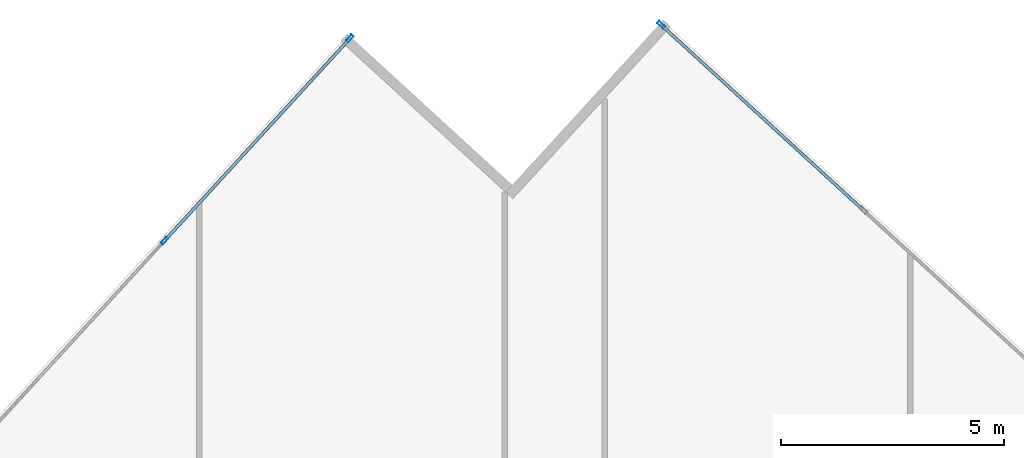
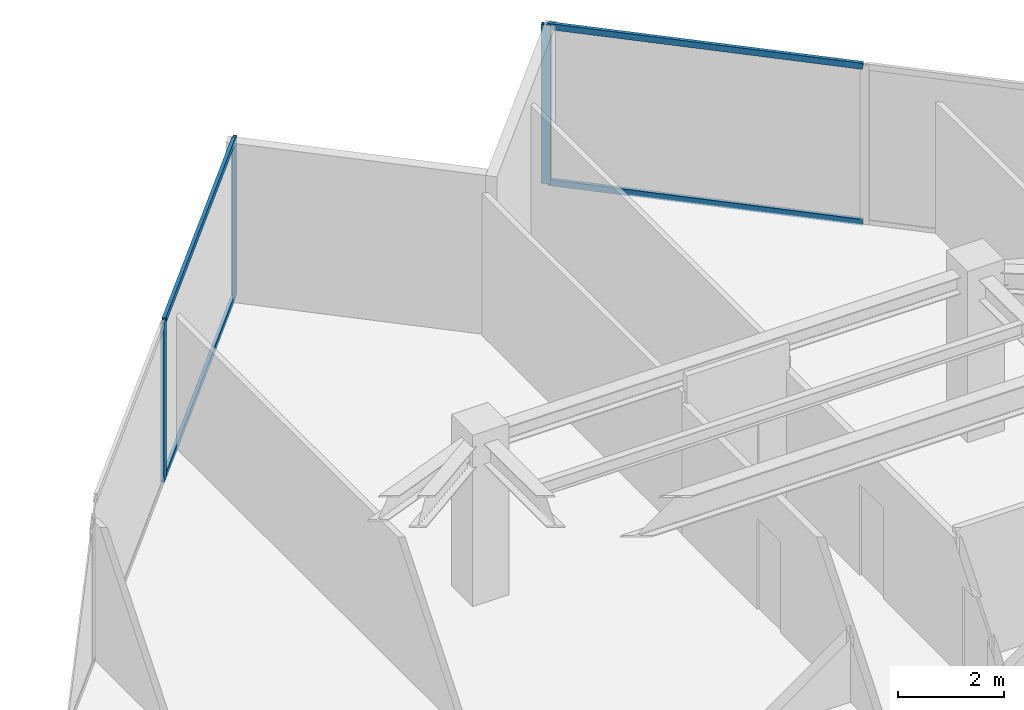
# One storey, part 17 of 26: 7 members, 2 elements without a shape of their own.
"""IFC4 building model written with IfcOpenShell, lengths in metres."""

from ifc_helpers import new_model, si_unit, direction, frame, origin, origin_2d, place, context, subcontext, project, spatial, hollow_rectangle, extrude, source, transform, mapped, material, material_profile, profile_set, type_object, type_shapes, element, aggregate, save


model = new_model("IFC4")

# Units and contexts
model_context = context("Model", 3, precision=1e-05, world=origin(), true_north=direction((0.0, 1.0)))
body_context = subcontext(model_context, "Body", "Model", "MODEL_VIEW")
ifc_project = project(units=[si_unit("LENGTHUNIT", "METRE"), si_unit("AREAUNIT", "SQUARE_METRE"), si_unit("VOLUMEUNIT", "CUBIC_METRE"), si_unit("PLANEANGLEUNIT", "RADIAN"), si_unit("MASSUNIT", "GRAM", prefix="KILO")], contexts=[model_context])

# Site, building, storey
site_placement = place(None, origin())
site = spatial("IfcSite", under=ifc_project, at=site_placement, CompositionType="ELEMENT")
building_placement = place(site_placement, origin())
building = spatial("IfcBuilding", under=site, at=building_placement, Name="Krantzveldt Concourse Tower", CompositionType="ELEMENT")
storey_placement = place(building_placement, frame((0.0, 0.0, 219.14990234375)))
storey = spatial("IfcBuildingStorey", under=building, at=storey_placement, Name="L53", CompositionType="ELEMENT", Elevation=219.14990234375)

# Curtain wall, members
ifc_material = material(Name="Anodised aluminium 6063-T6", Category="aluminium")
curtain_wall_type = type_object("IfcCurtainWallType", Name="CW3", PredefinedType="USERDEFINED", material=ifc_material)
curtain_wall_1_placement = place(storey_placement, origin())
curtain_wall_1 = element("IfcCurtainWall", 1, at=curtain_wall_1_placement, inside=storey, type_object=curtain_wall_type, Name="CW-L53-F01", ObjectType="UNITISED CURTAIN WALL", PredefinedType="USERDEFINED")
ifc_material_profile_1 = material_profile(ifc_material, hollow_rectangle(XDim=0.070068359375, YDim=0.179931640625, WallThickness=0.0048828125, at=origin_2d()), Name="Anodised aluminium 6063-T6", Category="aluminium")
ifc_profile_set_1 = profile_set([ifc_material_profile_1], Name="Anodised aluminium 6063-T6 - ALU-MULL 180x70x5")
member_type_1 = type_object("IfcMemberType", Name="CW-MUL-180", PredefinedType="MULLION", material=ifc_profile_set_1)
shared_shape_1 = source(origin(), body_context, "Body", "SweptSolid", [
    extrude(hollow_rectangle(XDim=0.070068359375, YDim=0.179931640625, WallThickness=0.0048828125, at=origin_2d()), origin(), (0.0, 0.0, 1.0), 3.670166015625),
])
type_shapes(member_type_1, [shared_shape_1])
member_1_placement = place(storey_placement, frame((31.400146484375, 51.890869140625, 0.0), z_axis=(0.0, 0.0, 1.0), x_axis=(0.737277477893, -0.675590053651, 0.0)))
member_1 = element("IfcMember", 2, at=member_1_placement, type_object=member_type_1, Name="CW-Z34 mullion 1", PredefinedType="MULLION", context=body_context, shape_type="MappedRepresentation", body=[
    mapped(shared_shape_1, transform((0.0, 0.0, 0.0), x_axis=(1.0, 0.0, 0.0), y_axis=(0.0, 1.0, 0.0), z_axis=(0.0, 0.0, 1.0), scale=1.0)),
])
member_2_placement = place(storey_placement, frame((27.235107421875, 47.345458984375, 0.0), z_axis=(0.0, 0.0, 1.0), x_axis=(0.737277477893, -0.675590053651, 0.0)))
member_2 = element("IfcMember", 3, at=member_2_placement, type_object=member_type_1, Name="CW-Z34 mullion 2", PredefinedType="MULLION", context=body_context, shape_type="MappedRepresentation", body=[
    mapped(shared_shape_1, transform((0.0, 0.0, 0.0), x_axis=(1.0, 0.0, 0.0), y_axis=(0.0, 1.0, 0.0), z_axis=(0.0, 0.0, 1.0), scale=1.0)),
])

# Curtain wall, member
curtain_wall_2_placement = place(storey_placement, origin())
curtain_wall_2 = element("IfcCurtainWall", 4, at=curtain_wall_2_placement, inside=storey, type_object=curtain_wall_type, Name="CW-L53-F14", ObjectType="UNITISED CURTAIN WALL", PredefinedType="USERDEFINED")
member_3_placement = place(storey_placement, frame((38.38671875, 52.19580078125, 0.0), z_axis=(0.0, 0.0, 1.0), x_axis=(-0.675590053651, -0.737277477893, 0.0)))
member_3 = element("IfcMember", 5, at=member_3_placement, type_object=member_type_1, Name="CW-Z34 mullion 6", PredefinedType="MULLION", context=body_context, shape_type="MappedRepresentation", body=[
    mapped(shared_shape_1, transform((0.0, 0.0, 0.0), x_axis=(1.0, 0.0, 0.0), y_axis=(0.0, 1.0, 0.0), z_axis=(0.0, 0.0, 1.0), scale=1.0)),
])

# Member
ifc_material_profile_2 = material_profile(ifc_material, hollow_rectangle(XDim=0.070068359375, YDim=0.139892578125, WallThickness=0.0048828125, at=origin_2d()), Name="Anodised aluminium 6063-T6", Category="aluminium")
ifc_profile_set_2 = profile_set([ifc_material_profile_2], Name="Anodised aluminium 6063-T6 - ALU-TRAN 140x70x5")
member_type_2 = type_object("IfcMemberType", Name="CW-TRN-150", PredefinedType="USERDEFINED", material=ifc_profile_set_2)
shared_shape_2 = source(origin(), body_context, "Body", "SweptSolid", [
    extrude(hollow_rectangle(XDim=0.070068359375, YDim=0.139892578125, WallThickness=0.0048828125, at=origin_2d()), origin(), (0.0, 0.0, 1.0), 6.094970703125),
])
type_shapes(member_type_2, [shared_shape_2])
member_4_placement = place(storey_placement, frame((31.37646484375, 51.864990234375, 0.03515625), z_axis=(-0.675590390755, -0.737277168993, 0.0), x_axis=(0.737277168993, -0.675590390755, 0.0)))
member_4 = element("IfcMember", 6, at=member_4_placement, type_object=member_type_2, Name="CW-Z34 transom 1.1", ObjectType="TRANSOM", PredefinedType="USERDEFINED", context=body_context, shape_type="MappedRepresentation", body=[
    mapped(shared_shape_2, transform((0.0, 0.0, 0.0), x_axis=(1.0, 0.0, 0.0), y_axis=(0.0, 1.0, 0.0), z_axis=(0.0, 0.0, 1.0), scale=1.0)),
])

member_5_placement = place(storey_placement, frame((31.37646484375, 51.864990234375, 3.635009765625), z_axis=(-0.675590390755, -0.737277168993, 0.0), x_axis=(0.737277168993, -0.675590390755, 0.0)))
member_5 = element("IfcMember", 7, at=member_5_placement, type_object=member_type_2, Name="CW-Z34 transom 1.2", ObjectType="TRANSOM", PredefinedType="USERDEFINED", context=body_context, shape_type="MappedRepresentation", body=[
    mapped(shared_shape_2, transform((0.0, 0.0, 0.0), x_axis=(1.0, 0.0, 0.0), y_axis=(0.0, 1.0, 0.0), z_axis=(0.0, 0.0, 1.0), scale=1.0)),
])

aggregate(curtain_wall_1, [member_1, member_2, member_4, member_5])

member_6_placement = place(storey_placement, frame((42.90625, 48.054443359375, 0.03515625), z_axis=(-0.737277168993, 0.675590390755, 0.0), x_axis=(-0.675590390755, -0.737277168993, 0.0)))
member_6 = element("IfcMember", 8, at=member_6_placement, type_object=member_type_2, Name="CW-Z34 transom 5.1", ObjectType="TRANSOM", PredefinedType="USERDEFINED", context=body_context, shape_type="MappedRepresentation", body=[
    mapped(shared_shape_2, transform((0.0, 0.0, 0.0), x_axis=(1.0, 0.0, 0.0), y_axis=(0.0, 1.0, 0.0), z_axis=(0.0, 0.0, 1.0), scale=1.0)),
])

member_7_placement = place(storey_placement, frame((42.90625, 48.054443359375, 3.635009765625), z_axis=(-0.737277168993, 0.675590390755, 0.0), x_axis=(-0.675590390755, -0.737277168993, 0.0)))
member_7 = element("IfcMember", 9, at=member_7_placement, type_object=member_type_2, Name="CW-Z34 transom 5.2", ObjectType="TRANSOM", PredefinedType="USERDEFINED", context=body_context, shape_type="MappedRepresentation", body=[
    mapped(shared_shape_2, transform((0.0, 0.0, 0.0), x_axis=(1.0, 0.0, 0.0), y_axis=(0.0, 1.0, 0.0), z_axis=(0.0, 0.0, 1.0), scale=1.0)),
])

aggregate(curtain_wall_2, [member_3, member_6, member_7])

save(model, "model.ifc")
